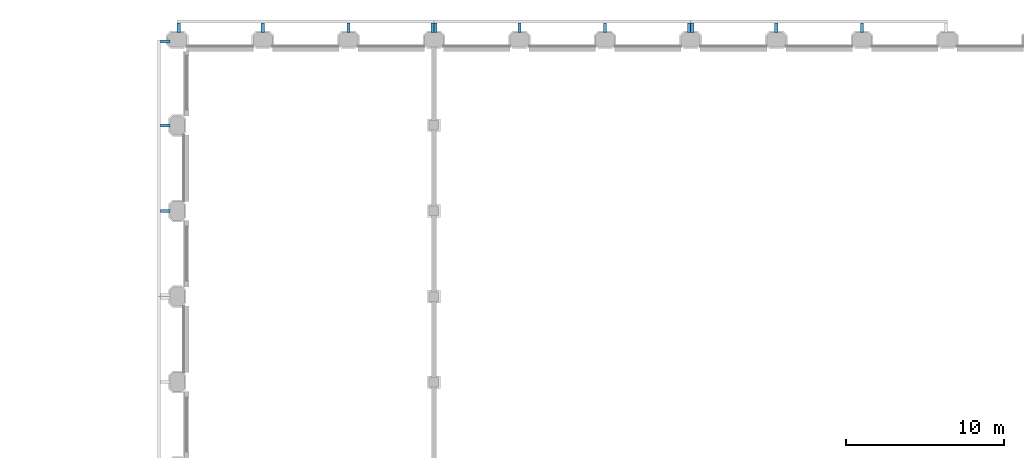
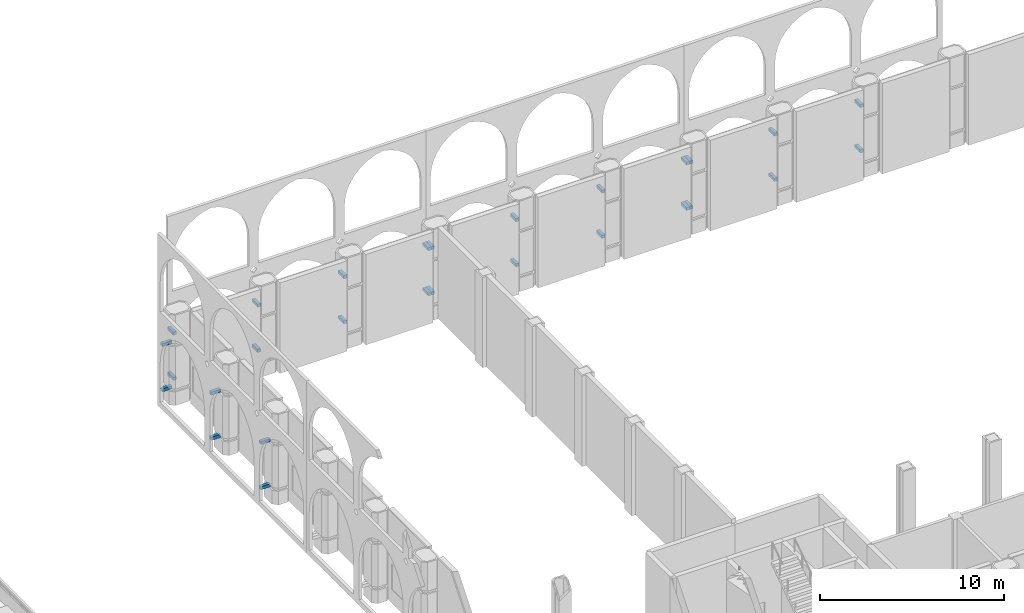
# One storey, part 21 of 34: 28 discrete accessories.
"""IFC4 building model written with IfcOpenShell, lengths in metres."""

from ifc_helpers import new_model, si_unit, direction, frame, origin, origin_2d, place, context, subcontext, project, spatial, rectangle, extrude, element, save


model = new_model("IFC4")

# Units and contexts
model_context = context("Model", 3, precision=1e-05, world=origin(), true_north=direction((0.0, 1.0)))
body_context = subcontext(model_context, "Body", "Model", "MODEL_VIEW")
ifc_project = project(units=[si_unit("LENGTHUNIT", "METRE"), si_unit("AREAUNIT", "SQUARE_METRE"), si_unit("VOLUMEUNIT", "CUBIC_METRE"), si_unit("PLANEANGLEUNIT", "RADIAN"), si_unit("MASSUNIT", "GRAM", prefix="KILO")], contexts=[model_context])

# Site, building, storey
site_placement = place(None, origin())
site = spatial("IfcSite", under=ifc_project, at=site_placement, CompositionType="ELEMENT")
building_placement = place(site_placement, origin())
building = spatial("IfcBuilding", under=site, at=building_placement, Name="Tabaq Tower and Sports Hall", CompositionType="ELEMENT")
storey_placement = place(building_placement, frame((0.0, 0.0, 8.39990234375)))
storey = spatial("IfcBuildingStorey", under=building, at=storey_placement, Name="L01", CompositionType="ELEMENT", Elevation=8.39990234375)

# Discrete accessories
for number, where, z_axis, x_axis, name in (
    (1, (64.89990234375, 43.949951171875, 0.89990234375), (0.0, 0.0, 1.0), (1.0, 0.0, 0.0), "Stainless steel bracket"),
    (2, (64.89990234375, 43.949951171875, 3.89990234375), (0.0, 0.0, 1.0), (1.0, 0.0, 0.0), "Stainless steel bracket"),
    (3, (70.199951171875, 43.949951171875, 0.89990234375), (0.0, 0.0, 1.0), (1.0, 0.0, 0.0), "Stainless steel bracket"),
    (4, (70.199951171875, 43.949951171875, 3.89990234375), (0.0, 0.0, 1.0), (1.0, 0.0, 0.0), "Stainless steel bracket"),
    (5, (75.60009765625, 43.949951171875, 0.89990234375), (0.0, 0.0, 1.0), (1.0, 0.0, 0.0), "Stainless steel bracket"),
    (6, (75.60009765625, 43.949951171875, 3.89990234375), (0.0, 0.0, 1.0), (1.0, 0.0, 0.0), "Stainless steel bracket"),
    (7, (80.89990234375, 43.949951171875, 0.89990234375), (0.0, 0.0, 1.0), (1.0, 0.0, 0.0), "Stainless steel bracket"),
    (8, (80.89990234375, 43.949951171875, 3.89990234375), (0.0, 0.0, 1.0), (1.0, 0.0, 0.0), "Stainless steel bracket"),
    (9, (81.10009765625, 43.949951171875, 0.89990234375), (0.0, 0.0, 1.0), (1.0, 0.0, 0.0), "Stainless steel bracket"),
    (10, (81.10009765625, 43.949951171875, 3.89990234375), (0.0, 0.0, 1.0), (1.0, 0.0, 0.0), "Stainless steel bracket"),
    (11, (86.39990234375, 43.949951171875, 0.89990234375), (0.0, 0.0, 1.0), (1.0, 0.0, 0.0), "Stainless steel bracket"),
    (12, (86.39990234375, 43.949951171875, 3.89990234375), (0.0, 0.0, 1.0), (1.0, 0.0, 0.0), "Stainless steel bracket"),
    (13, (91.800048828125, 43.949951171875, 0.89990234375), (0.0, 0.0, 1.0), (1.0, 0.0, 0.0), "Stainless steel bracket"),
    (14, (91.800048828125, 43.949951171875, 3.89990234375), (0.0, 0.0, 1.0), (1.0, 0.0, 0.0), "Stainless steel bracket"),
    (15, (97.10009765625, 43.949951171875, 0.89990234375), (0.0, 0.0, 1.0), (1.0, 0.0, 0.0), "Stainless steel bracket"),
    (16, (97.10009765625, 43.949951171875, 3.89990234375), (0.0, 0.0, 1.0), (1.0, 0.0, 0.0), "Stainless steel bracket"),
    (17, (97.300048828125, 43.949951171875, 0.89990234375), (0.0, 0.0, 1.0), (1.0, 0.0, 0.0), "Stainless steel bracket"),
    (18, (97.300048828125, 43.949951171875, 3.89990234375), (0.0, 0.0, 1.0), (1.0, 0.0, 0.0), "Stainless steel bracket"),
    (19, (102.60009765625, 43.949951171875, 0.89990234375), (0.0, 0.0, 1.0), (1.0, 0.0, 0.0), "Stainless steel bracket"),
    (20, (102.60009765625, 43.949951171875, 3.89990234375), (0.0, 0.0, 1.0), (1.0, 0.0, 0.0), "Stainless steel bracket"),
    (21, (108.0, 43.949951171875, 0.89990234375), (0.0, 0.0, 1.0), (1.0, 0.0, 0.0), "Stainless steel bracket"),
    (22, (108.0, 43.949951171875, 3.89990234375), (0.0, 0.0, 1.0), (1.0, 0.0, 0.0), "Stainless steel bracket"),
    (23, (64.050048828125, 32.39990234375, 0.89990234375), (0.0, 0.0, 1.0), (0.0, 1.0, 0.0), "Stainless steel bracket"),
    (24, (64.050048828125, 32.39990234375, 3.89990234375), (0.0, 0.0, 1.0), (0.0, 1.0, 0.0), "Stainless steel bracket"),
    (25, (64.050048828125, 37.800048828125, 0.89990234375), (0.0, 0.0, 1.0), (0.0, 1.0, 0.0), "Stainless steel bracket"),
    (26, (64.050048828125, 37.800048828125, 3.89990234375), (0.0, 0.0, 1.0), (0.0, 1.0, 0.0), "Stainless steel bracket"),
    (27, (64.050048828125, 43.10009765625, 0.89990234375), (0.0, 0.0, 1.0), (0.0, 1.0, 0.0), "Stainless steel bracket"),
    (28, (64.050048828125, 43.10009765625, 3.89990234375), (0.0, 0.0, 1.0), (0.0, 1.0, 0.0), "Stainless steel bracket"),
):
    element("IfcDiscreteAccessory", number, at=place(storey_placement, frame(where, z_axis=z_axis, x_axis=x_axis)), inside=storey, Name=name, PredefinedType="BRACKET", context=body_context, shape_type="SweptSolid", body=[
        extrude(rectangle(XDim=0.199951171875, YDim=0.60009765625, at=origin_2d()), origin(), (0.0, 0.0, 1.0), 0.199951171875),
    ])

save(model, "model.ifc")
